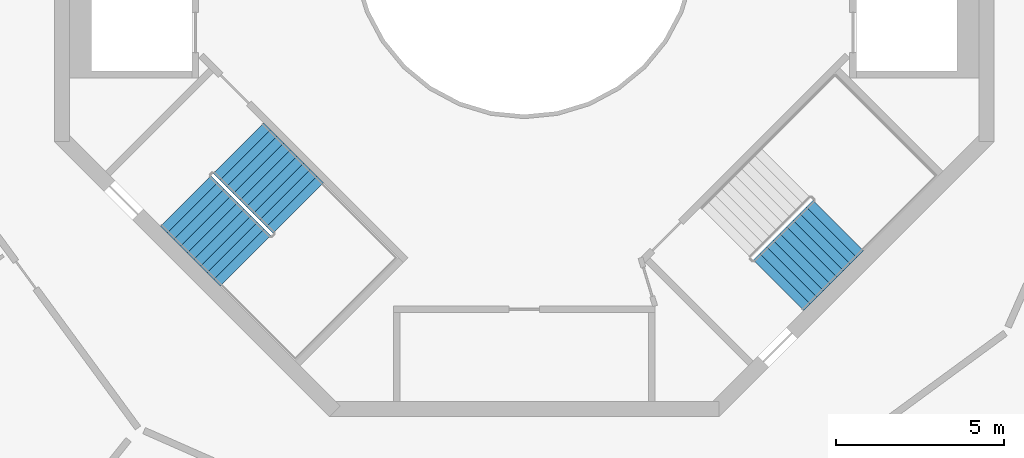
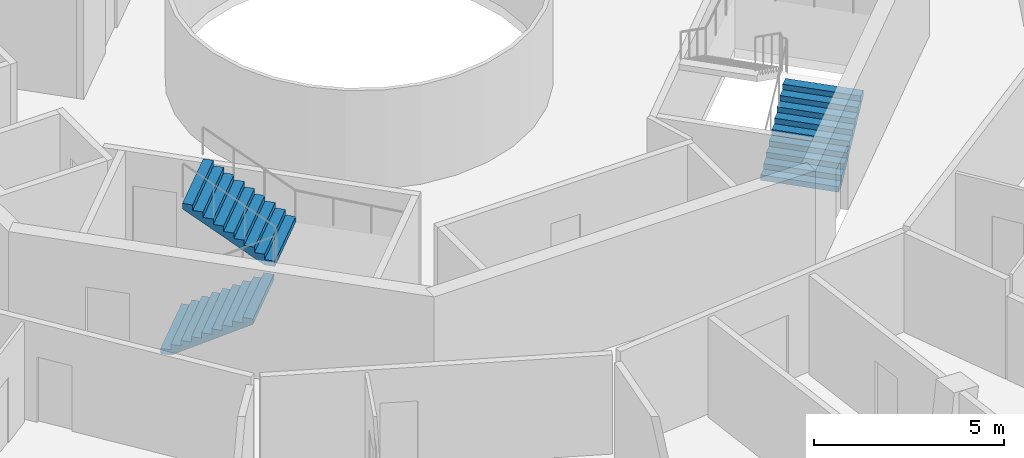
# One storey, part 22 of 24: 3 stair flights, 2 elements without a shape of their own.
"""IFC4 building model written with IfcOpenShell, lengths in metres."""

from ifc_helpers import new_model, si_unit, direction, frame, origin, place, context, subcontext, project, spatial, triangles, material, type_object, element, aggregate, save


model = new_model("IFC4")

# Units and contexts
model_context = context("Model", 3, precision=1e-05, world=origin(), true_north=direction((0.0, 1.0)))
body_context = subcontext(model_context, "Body", "Model", "MODEL_VIEW")
ifc_project = project(units=[si_unit("LENGTHUNIT", "METRE"), si_unit("AREAUNIT", "SQUARE_METRE"), si_unit("VOLUMEUNIT", "CUBIC_METRE"), si_unit("PLANEANGLEUNIT", "RADIAN"), si_unit("MASSUNIT", "GRAM", prefix="KILO")], contexts=[model_context])

# Site, building, storey
site_placement = place(None, origin())
site = spatial("IfcSite", under=ifc_project, at=site_placement, CompositionType="ELEMENT")
building_placement = place(site_placement, origin())
building = spatial("IfcBuilding", under=site, at=building_placement, Name="Verdalira Terraces Hotel", CompositionType="ELEMENT")
storey_placement = place(building_placement, frame((0.0, 0.0, 303.0)))
storey = spatial("IfcBuildingStorey", under=building, at=storey_placement, Name="L75", CompositionType="ELEMENT", Elevation=303.0)

# Stair, stair flights
ifc_material_1 = material(Name="Concrete C40", Category="concrete")
stair_type = type_object("IfcStairType", Name="Core stair 20 risers 2125 mm wide", PredefinedType="HALF_TURN_STAIR", material=ifc_material_1)
stair_1_placement = place(storey_placement, origin())
stair_1 = element("IfcStair", 1, at=stair_1_placement, inside=storey, type_object=stair_type, Name="L75 Exit stair ST2", PredefinedType="HALF_TURN_STAIR")
ifc_material_2 = material(Name="Concrete C40", Category="concrete")
stair_flight_type = type_object("IfcStairFlightType", Name="Core stair flight 20 risers 2125 mm wide", PredefinedType="STRAIGHT", material=ifc_material_2)
stair_flight_1_placement = place(storey_placement, frame((-10.085205, -7.574951, 0.0), z_axis=(0.0, 0.0, 1.0), x_axis=(0.707106781, -0.707106781, 0.0)))
stair_flight_1 = element("IfcStairFlight", 2, at=stair_flight_1_placement, type_object=stair_flight_type, Name="ST2 flight 1", NumberOfRisers=10, NumberOfTreads=9, PredefinedType="STRAIGHT", RiserHeight=0.175, TreadLength=0.28, context=body_context, shape_type="Tessellation", body=[
    triangles([(0.0, 1.0625, 0.0), (0.282715, 1.0625, 0.0), (2.52002, 1.0625, 1.398193), (0.0, -1.0625, 0.0), (0.282715, -1.0625, 0.0), (2.52002, -1.0625, 1.398193), (2.52002, 1.0625, 1.574951), (2.23999, 1.0625, 1.574951), (2.52002, -1.0625, 1.574951), (2.23999, -1.0625, 1.574951), (2.23999, 1.0625, 1.399902), (2.23999, -1.0625, 1.399902), (1.959961, 1.0625, 1.399902), (1.959961, -1.0625, 1.399902), (1.959961, 1.0625, 1.225098), (1.959961, -1.0625, 1.225098), (1.679932, 1.0625, 1.225098), (1.679932, 1.0625, 1.050049), (1.679932, -1.0625, 1.225098), (1.679932, -1.0625, 1.050049), (1.399902, 1.0625, 1.050049), (1.399902, 1.0625, 0.875), (1.399902, -1.0625, 1.050049), (1.399902, -1.0625, 0.875), (1.120117, 1.0625, 0.875), (1.120117, 1.0625, 0.699951), (1.120117, -1.0625, 0.875), (1.120117, -1.0625, 0.699951), (0.840088, 1.0625, 0.699951), (0.840088, 1.0625, 0.524902), (0.840088, -1.0625, 0.699951), (0.840088, -1.0625, 0.524902), (0.560059, 1.0625, 0.524902), (0.560059, 1.0625, 0.350098), (0.560059, -1.0625, 0.524902), (0.560059, -1.0625, 0.350098), (0.280029, 1.0625, 0.350098), (0.280029, 1.0625, 0.175049), (0.280029, -1.0625, 0.350098), (0.280029, -1.0625, 0.175049), (0.0, 1.0625, 0.175049), (0.0, -1.0625, 0.175049), (0.0, -0.996094, 0.0), (0.0, -0.996094, 0.175049), (0.0, -0.929688, 0.0), (0.0, -0.929688, 0.175049), (0.0, -0.863281, 0.0), (0.0, -0.863281, 0.175049), (0.0, -0.796875, 0.0), (0.0, -0.796875, 0.175049), (0.0, -0.730469, 0.0), (0.0, -0.730469, 0.175049), (0.0, -0.664062, 0.0), (0.0, -0.664062, 0.175049), (0.0, -0.597656, 0.0), (0.0, -0.597656, 0.175049), (0.0, -0.53125, 0.0), (0.0, -0.53125, 0.175049), (0.0, -0.464844, 0.0), (0.0, -0.464844, 0.175049), (0.0, -0.398438, 0.0), (0.0, -0.398438, 0.175049), (0.0, -0.332031, 0.0), (0.0, -0.332031, 0.175049), (0.0, -0.265625, 0.0), (0.0, -0.265625, 0.175049), (0.0, -0.199219, 0.0), (0.0, -0.199219, 0.175049), (0.0, -0.132812, 0.0), (0.0, -0.132812, 0.175049), (0.0, -0.066406, 0.0), (0.0, -0.066406, 0.175049), (0.0, 0.0, 0.0), (0.0, 0.0, 0.175049), (0.0, 0.066406, 0.0), (0.0, 0.066406, 0.175049), (0.0, 0.132812, 0.0), (0.0, 0.132812, 0.175049), (0.0, 0.199219, 0.0), (0.0, 0.199219, 0.175049), (0.0, 0.265625, 0.0), (0.0, 0.265625, 0.175049), (0.0, 0.332031, 0.0), (0.0, 0.332031, 0.175049), (0.0, 0.398438, 0.0), (0.0, 0.398438, 0.175049), (0.0, 0.464844, 0.0), (0.0, 0.464844, 0.175049), (0.0, 0.53125, 0.0), (0.0, 0.53125, 0.175049), (0.0, 0.597656, 0.0), (0.0, 0.597656, 0.175049), (0.0, 0.664062, 0.0), (0.0, 0.664062, 0.175049), (0.0, 0.730469, 0.0), (0.0, 0.730469, 0.175049), (0.0, 0.796875, 0.0), (0.0, 0.796875, 0.175049), (0.0, 0.863281, 0.0), (0.0, 0.863281, 0.175049), (0.0, 0.929688, 0.0), (0.0, 0.929688, 0.175049), (0.0, 0.996094, 0.0), (0.0, 0.996094, 0.175049), (2.52002, -0.996094, 1.574951), (2.52002, -0.929688, 1.574951), (2.52002, -0.863281, 1.574951), (2.52002, -0.796875, 1.574951), (2.52002, -0.730469, 1.574951), (2.52002, -0.664062, 1.574951), (2.52002, -0.597656, 1.574951), (2.52002, -0.53125, 1.574951), (2.52002, -0.464844, 1.574951), (2.52002, -0.398438, 1.574951), (2.52002, -0.332031, 1.574951), (2.52002, -0.265625, 1.574951), (2.52002, -0.199219, 1.574951), (2.52002, -0.132812, 1.574951), (2.52002, -0.066406, 1.574951), (2.52002, 0.0, 1.574951), (2.52002, 0.066406, 1.574951), (2.52002, 0.132812, 1.574951), (2.52002, 0.199219, 1.574951), (2.52002, 0.265625, 1.574951), (2.52002, 0.332031, 1.574951), (2.52002, 0.398438, 1.574951), (2.52002, 0.464844, 1.574951), (2.52002, 0.53125, 1.574951), (2.52002, 0.597656, 1.574951), (2.52002, 0.664062, 1.574951), (2.52002, 0.730469, 1.574951), (2.52002, 0.796875, 1.574951), (2.52002, 0.863281, 1.574951), (2.52002, 0.929688, 1.574951), (2.52002, 0.996094, 1.574951), (2.52002, -0.996094, 1.398193), (2.52002, -0.929688, 1.398193), (2.52002, -0.863281, 1.398193), (2.52002, -0.796875, 1.398193), (2.52002, -0.730469, 1.398193), (2.52002, -0.664062, 1.398193), (2.52002, -0.597656, 1.398193), (2.52002, -0.53125, 1.398193), (2.52002, -0.464844, 1.398193), (2.52002, -0.398438, 1.398193), (2.52002, -0.332031, 1.398193), (2.52002, -0.265625, 1.398193), (2.52002, -0.199219, 1.398193), (2.52002, -0.132812, 1.398193), (2.52002, -0.066406, 1.398193), (2.52002, 0.0, 1.398193), (2.52002, 0.066406, 1.398193), (2.52002, 0.132812, 1.398193), (2.52002, 0.199219, 1.398193), (2.52002, 0.265625, 1.398193), (2.52002, 0.332031, 1.398193), (2.52002, 0.398438, 1.398193), (2.52002, 0.464844, 1.398193), (2.52002, 0.53125, 1.398193), (2.52002, 0.597656, 1.398193), (2.52002, 0.664062, 1.398193), (2.52002, 0.730469, 1.398193), (2.52002, 0.796875, 1.398193), (2.52002, 0.863281, 1.398193), (2.52002, 0.929688, 1.398193), (2.52002, 0.996094, 1.398193)], [[1, 3, 2], [4, 5, 6], [3, 8, 7], [6, 9, 10], [3, 11, 8], [6, 10, 12], [3, 13, 11], [6, 12, 14], [3, 15, 13], [6, 14, 16], [15, 18, 17], [16, 19, 20], [3, 18, 15], [6, 16, 20], [18, 22, 21], [20, 23, 24], [3, 22, 18], [6, 20, 24], [22, 26, 25], [24, 27, 28], [3, 26, 22], [6, 24, 28], [26, 30, 29], [28, 31, 32], [3, 30, 26], [6, 28, 32], [1, 30, 3], [4, 6, 32], [30, 34, 33], [32, 35, 36], [34, 38, 37], [36, 39, 40], [30, 38, 34], [32, 36, 40], [1, 38, 30], [4, 32, 40], [38, 1, 41], [40, 42, 4], [4, 44, 43], [4, 42, 44], [43, 46, 45], [43, 44, 46], [45, 48, 47], [45, 46, 48], [47, 50, 49], [47, 48, 50], [49, 52, 51], [49, 50, 52], [51, 54, 53], [51, 52, 54], [53, 56, 55], [53, 54, 56], [55, 58, 57], [55, 56, 58], [57, 60, 59], [57, 58, 60], [59, 62, 61], [59, 60, 62], [61, 64, 63], [61, 62, 64], [63, 66, 65], [63, 64, 66], [65, 68, 67], [65, 66, 68], [67, 70, 69], [67, 68, 70], [69, 72, 71], [69, 70, 72], [71, 74, 73], [71, 72, 74], [73, 76, 75], [73, 74, 76], [75, 78, 77], [75, 76, 78], [77, 80, 79], [77, 78, 80], [79, 82, 81], [79, 80, 82], [81, 84, 83], [81, 82, 84], [83, 86, 85], [83, 84, 86], [85, 88, 87], [85, 86, 88], [87, 90, 89], [87, 88, 90], [89, 92, 91], [89, 90, 92], [91, 94, 93], [91, 92, 94], [93, 96, 95], [93, 94, 96], [95, 98, 97], [95, 96, 98], [97, 100, 99], [97, 98, 100], [99, 102, 101], [99, 100, 102], [101, 104, 103], [101, 102, 104], [103, 41, 1], [103, 104, 41], [42, 40, 44], [44, 40, 46], [46, 40, 48], [48, 40, 50], [50, 40, 52], [52, 40, 54], [54, 40, 56], [56, 40, 58], [58, 40, 60], [60, 40, 62], [62, 40, 64], [64, 40, 66], [66, 40, 68], [68, 40, 70], [70, 40, 72], [72, 40, 74], [74, 40, 76], [76, 40, 78], [78, 40, 80], [80, 40, 82], [82, 40, 84], [84, 40, 86], [86, 40, 88], [88, 40, 90], [90, 40, 92], [92, 40, 94], [94, 40, 96], [96, 40, 98], [98, 40, 100], [100, 40, 102], [102, 40, 104], [104, 40, 41], [41, 40, 38], [40, 37, 38], [40, 39, 37], [39, 34, 37], [39, 36, 34], [36, 33, 34], [36, 35, 33], [35, 30, 33], [35, 32, 30], [32, 29, 30], [32, 31, 29], [31, 26, 29], [31, 28, 26], [28, 25, 26], [28, 27, 25], [27, 22, 25], [27, 24, 22], [24, 21, 22], [24, 23, 21], [23, 18, 21], [23, 20, 18], [20, 17, 18], [20, 19, 17], [19, 15, 17], [19, 16, 15], [16, 13, 15], [16, 14, 13], [14, 11, 13], [14, 12, 11], [12, 8, 11], [12, 10, 8], [9, 105, 10], [105, 106, 10], [106, 107, 10], [107, 108, 10], [108, 109, 10], [109, 110, 10], [110, 111, 10], [111, 112, 10], [112, 113, 10], [113, 114, 10], [114, 115, 10], [115, 116, 10], [116, 117, 10], [117, 118, 10], [118, 119, 10], [119, 120, 10], [120, 121, 10], [121, 122, 10], [122, 123, 10], [123, 124, 10], [124, 125, 10], [125, 126, 10], [126, 127, 10], [127, 128, 10], [128, 129, 10], [129, 130, 10], [130, 131, 10], [131, 132, 10], [132, 133, 10], [133, 134, 10], [134, 135, 10], [135, 7, 10], [7, 8, 10], [9, 136, 105], [9, 6, 136], [105, 137, 106], [105, 136, 137], [106, 138, 107], [106, 137, 138], [107, 139, 108], [107, 138, 139], [108, 140, 109], [108, 139, 140], [109, 141, 110], [109, 140, 141], [110, 142, 111], [110, 141, 142], [111, 143, 112], [111, 142, 143], [112, 144, 113], [112, 143, 144], [113, 145, 114], [113, 144, 145], [114, 146, 115], [114, 145, 146], [115, 147, 116], [115, 146, 147], [116, 148, 117], [116, 147, 148], [117, 149, 118], [117, 148, 149], [118, 150, 119], [118, 149, 150], [119, 151, 120], [119, 150, 151], [120, 152, 121], [120, 151, 152], [121, 153, 122], [121, 152, 153], [122, 154, 123], [122, 153, 154], [123, 155, 124], [123, 154, 155], [124, 156, 125], [124, 155, 156], [125, 157, 126], [125, 156, 157], [126, 158, 127], [126, 157, 158], [127, 159, 128], [127, 158, 159], [128, 160, 129], [128, 159, 160], [129, 161, 130], [129, 160, 161], [130, 162, 131], [130, 161, 162], [131, 163, 132], [131, 162, 163], [132, 164, 133], [132, 163, 164], [133, 165, 134], [133, 164, 165], [134, 166, 135], [134, 165, 166], [135, 3, 7], [135, 166, 3], [6, 5, 136], [136, 5, 137], [137, 5, 138], [138, 5, 139], [139, 5, 140], [140, 5, 141], [141, 5, 142], [142, 5, 143], [143, 5, 144], [144, 5, 145], [145, 5, 146], [146, 5, 147], [147, 5, 148], [148, 5, 149], [149, 5, 150], [150, 5, 151], [151, 5, 152], [152, 5, 153], [153, 5, 154], [154, 5, 155], [155, 5, 156], [156, 5, 157], [157, 5, 158], [158, 5, 159], [159, 5, 160], [160, 5, 161], [161, 5, 162], [162, 5, 163], [163, 5, 164], [164, 5, 165], [165, 5, 166], [166, 5, 3], [3, 5, 2], [4, 43, 5], [43, 45, 5], [45, 47, 5], [47, 49, 5], [49, 51, 5], [51, 53, 5], [53, 55, 5], [55, 57, 5], [57, 59, 5], [59, 61, 5], [61, 63, 5], [63, 65, 5], [65, 67, 5], [67, 69, 5], [69, 71, 5], [71, 73, 5], [73, 75, 5], [75, 77, 5], [77, 79, 5], [79, 81, 5], [81, 83, 5], [83, 85, 5], [85, 87, 5], [87, 89, 5], [89, 91, 5], [91, 93, 5], [93, 95, 5], [95, 97, 5], [97, 99, 5], [99, 101, 5], [101, 103, 5], [103, 1, 5], [1, 2, 5]], closed=True),
])
stair_flight_2_placement = place(storey_placement, frame((-6.72998, -7.783447, 1.75), z_axis=(0.0, 0.0, 1.0), x_axis=(-0.707106781, 0.707106781, 0.0)))
stair_flight_2 = element("IfcStairFlight", 3, at=stair_flight_2_placement, type_object=stair_flight_type, Name="ST2 flight 2", NumberOfRisers=10, NumberOfTreads=9, PredefinedType="STRAIGHT", RiserHeight=0.175, TreadLength=0.28, context=body_context, shape_type="Tessellation", body=[
    triangles([(0.0, 1.0625, 0.0), (0.282715, 1.0625, 0.0), (2.52002, 1.0625, 1.398193), (0.0, -1.0625, 0.0), (0.282715, -1.0625, 0.0), (2.52002, -1.0625, 1.398193), (2.52002, 1.0625, 1.574951), (2.23999, 1.0625, 1.574951), (2.52002, -1.0625, 1.574951), (2.23999, -1.0625, 1.574951), (2.23999, 1.0625, 1.399902), (2.23999, -1.0625, 1.399902), (1.959961, 1.0625, 1.399902), (1.959961, -1.0625, 1.399902), (1.959961, 1.0625, 1.225098), (1.959961, -1.0625, 1.225098), (1.679932, 1.0625, 1.225098), (1.679932, 1.0625, 1.050049), (1.679932, -1.0625, 1.225098), (1.679932, -1.0625, 1.050049), (1.399902, 1.0625, 1.050049), (1.399902, 1.0625, 0.875), (1.399902, -1.0625, 1.050049), (1.399902, -1.0625, 0.875), (1.120117, 1.0625, 0.875), (1.120117, 1.0625, 0.699951), (1.120117, -1.0625, 0.875), (1.120117, -1.0625, 0.699951), (0.840088, 1.0625, 0.699951), (0.840088, 1.0625, 0.524902), (0.840088, -1.0625, 0.699951), (0.840088, -1.0625, 0.524902), (0.560059, 1.0625, 0.524902), (0.560059, 1.0625, 0.350098), (0.560059, -1.0625, 0.524902), (0.560059, -1.0625, 0.350098), (0.280029, 1.0625, 0.350098), (0.280029, 1.0625, 0.175049), (0.280029, -1.0625, 0.350098), (0.280029, -1.0625, 0.175049), (0.0, 1.0625, 0.175049), (0.0, -1.0625, 0.175049), (0.0, -0.996094, 0.0), (0.0, -0.996094, 0.175049), (0.0, -0.929688, 0.0), (0.0, -0.929688, 0.175049), (0.0, -0.863281, 0.0), (0.0, -0.863281, 0.175049), (0.0, -0.796875, 0.0), (0.0, -0.796875, 0.175049), (0.0, -0.730469, 0.0), (0.0, -0.730469, 0.175049), (0.0, -0.664062, 0.0), (0.0, -0.664062, 0.175049), (0.0, -0.597656, 0.0), (0.0, -0.597656, 0.175049), (0.0, -0.53125, 0.0), (0.0, -0.53125, 0.175049), (0.0, -0.464844, 0.0), (0.0, -0.464844, 0.175049), (0.0, -0.398438, 0.0), (0.0, -0.398438, 0.175049), (0.0, -0.332031, 0.0), (0.0, -0.332031, 0.175049), (0.0, -0.265625, 0.0), (0.0, -0.265625, 0.175049), (0.0, -0.199219, 0.0), (0.0, -0.199219, 0.175049), (0.0, -0.132812, 0.0), (0.0, -0.132812, 0.175049), (0.0, -0.066406, 0.0), (0.0, -0.066406, 0.175049), (0.0, 0.0, 0.0), (0.0, 0.0, 0.175049), (0.0, 0.066406, 0.0), (0.0, 0.066406, 0.175049), (0.0, 0.132812, 0.0), (0.0, 0.132812, 0.175049), (0.0, 0.199219, 0.0), (0.0, 0.199219, 0.175049), (0.0, 0.265625, 0.0), (0.0, 0.265625, 0.175049), (0.0, 0.332031, 0.0), (0.0, 0.332031, 0.175049), (0.0, 0.398438, 0.0), (0.0, 0.398438, 0.175049), (0.0, 0.464844, 0.0), (0.0, 0.464844, 0.175049), (0.0, 0.53125, 0.0), (0.0, 0.53125, 0.175049), (0.0, 0.597656, 0.0), (0.0, 0.597656, 0.175049), (0.0, 0.664062, 0.0), (0.0, 0.664062, 0.175049), (0.0, 0.730469, 0.0), (0.0, 0.730469, 0.175049), (0.0, 0.796875, 0.0), (0.0, 0.796875, 0.175049), (0.0, 0.863281, 0.0), (0.0, 0.863281, 0.175049), (0.0, 0.929688, 0.0), (0.0, 0.929688, 0.175049), (0.0, 0.996094, 0.0), (0.0, 0.996094, 0.175049), (2.52002, -0.996094, 1.574951), (2.52002, -0.929688, 1.574951), (2.52002, -0.863281, 1.574951), (2.52002, -0.796875, 1.574951), (2.52002, -0.730469, 1.574951), (2.52002, -0.664062, 1.574951), (2.52002, -0.597656, 1.574951), (2.52002, -0.53125, 1.574951), (2.52002, -0.464844, 1.574951), (2.52002, -0.398438, 1.574951), (2.52002, -0.332031, 1.574951), (2.52002, -0.265625, 1.574951), (2.52002, -0.199219, 1.574951), (2.52002, -0.132812, 1.574951), (2.52002, -0.066406, 1.574951), (2.52002, 0.0, 1.574951), (2.52002, 0.066406, 1.574951), (2.52002, 0.132812, 1.574951), (2.52002, 0.199219, 1.574951), (2.52002, 0.265625, 1.574951), (2.52002, 0.332031, 1.574951), (2.52002, 0.398438, 1.574951), (2.52002, 0.464844, 1.574951), (2.52002, 0.53125, 1.574951), (2.52002, 0.597656, 1.574951), (2.52002, 0.664062, 1.574951), (2.52002, 0.730469, 1.574951), (2.52002, 0.796875, 1.574951), (2.52002, 0.863281, 1.574951), (2.52002, 0.929688, 1.574951), (2.52002, 0.996094, 1.574951), (2.52002, -0.996094, 1.398193), (2.52002, -0.929688, 1.398193), (2.52002, -0.863281, 1.398193), (2.52002, -0.796875, 1.398193), (2.52002, -0.730469, 1.398193), (2.52002, -0.664062, 1.398193), (2.52002, -0.597656, 1.398193), (2.52002, -0.53125, 1.398193), (2.52002, -0.464844, 1.398193), (2.52002, -0.398438, 1.398193), (2.52002, -0.332031, 1.398193), (2.52002, -0.265625, 1.398193), (2.52002, -0.199219, 1.398193), (2.52002, -0.132812, 1.398193), (2.52002, -0.066406, 1.398193), (2.52002, 0.0, 1.398193), (2.52002, 0.066406, 1.398193), (2.52002, 0.132812, 1.398193), (2.52002, 0.199219, 1.398193), (2.52002, 0.265625, 1.398193), (2.52002, 0.332031, 1.398193), (2.52002, 0.398438, 1.398193), (2.52002, 0.464844, 1.398193), (2.52002, 0.53125, 1.398193), (2.52002, 0.597656, 1.398193), (2.52002, 0.664062, 1.398193), (2.52002, 0.730469, 1.398193), (2.52002, 0.796875, 1.398193), (2.52002, 0.863281, 1.398193), (2.52002, 0.929688, 1.398193), (2.52002, 0.996094, 1.398193)], [[1, 3, 2], [4, 5, 6], [3, 8, 7], [6, 9, 10], [3, 11, 8], [6, 10, 12], [3, 13, 11], [6, 12, 14], [3, 15, 13], [6, 14, 16], [15, 18, 17], [16, 19, 20], [3, 18, 15], [6, 16, 20], [18, 22, 21], [20, 23, 24], [3, 22, 18], [6, 20, 24], [22, 26, 25], [24, 27, 28], [3, 26, 22], [6, 24, 28], [26, 30, 29], [28, 31, 32], [3, 30, 26], [6, 28, 32], [1, 30, 3], [4, 6, 32], [30, 34, 33], [32, 35, 36], [34, 38, 37], [36, 39, 40], [30, 38, 34], [32, 36, 40], [1, 38, 30], [4, 32, 40], [38, 1, 41], [40, 42, 4], [4, 44, 43], [4, 42, 44], [43, 46, 45], [43, 44, 46], [45, 48, 47], [45, 46, 48], [47, 50, 49], [47, 48, 50], [49, 52, 51], [49, 50, 52], [51, 54, 53], [51, 52, 54], [53, 56, 55], [53, 54, 56], [55, 58, 57], [55, 56, 58], [57, 60, 59], [57, 58, 60], [59, 62, 61], [59, 60, 62], [61, 64, 63], [61, 62, 64], [63, 66, 65], [63, 64, 66], [65, 68, 67], [65, 66, 68], [67, 70, 69], [67, 68, 70], [69, 72, 71], [69, 70, 72], [71, 74, 73], [71, 72, 74], [73, 76, 75], [73, 74, 76], [75, 78, 77], [75, 76, 78], [77, 80, 79], [77, 78, 80], [79, 82, 81], [79, 80, 82], [81, 84, 83], [81, 82, 84], [83, 86, 85], [83, 84, 86], [85, 88, 87], [85, 86, 88], [87, 90, 89], [87, 88, 90], [89, 92, 91], [89, 90, 92], [91, 94, 93], [91, 92, 94], [93, 96, 95], [93, 94, 96], [95, 98, 97], [95, 96, 98], [97, 100, 99], [97, 98, 100], [99, 102, 101], [99, 100, 102], [101, 104, 103], [101, 102, 104], [103, 41, 1], [103, 104, 41], [42, 40, 44], [44, 40, 46], [46, 40, 48], [48, 40, 50], [50, 40, 52], [52, 40, 54], [54, 40, 56], [56, 40, 58], [58, 40, 60], [60, 40, 62], [62, 40, 64], [64, 40, 66], [66, 40, 68], [68, 40, 70], [70, 40, 72], [72, 40, 74], [74, 40, 76], [76, 40, 78], [78, 40, 80], [80, 40, 82], [82, 40, 84], [84, 40, 86], [86, 40, 88], [88, 40, 90], [90, 40, 92], [92, 40, 94], [94, 40, 96], [96, 40, 98], [98, 40, 100], [100, 40, 102], [102, 40, 104], [104, 40, 41], [41, 40, 38], [40, 37, 38], [40, 39, 37], [39, 34, 37], [39, 36, 34], [36, 33, 34], [36, 35, 33], [35, 30, 33], [35, 32, 30], [32, 29, 30], [32, 31, 29], [31, 26, 29], [31, 28, 26], [28, 25, 26], [28, 27, 25], [27, 22, 25], [27, 24, 22], [24, 21, 22], [24, 23, 21], [23, 18, 21], [23, 20, 18], [20, 17, 18], [20, 19, 17], [19, 15, 17], [19, 16, 15], [16, 13, 15], [16, 14, 13], [14, 11, 13], [14, 12, 11], [12, 8, 11], [12, 10, 8], [9, 105, 10], [105, 106, 10], [106, 107, 10], [107, 108, 10], [108, 109, 10], [109, 110, 10], [110, 111, 10], [111, 112, 10], [112, 113, 10], [113, 114, 10], [114, 115, 10], [115, 116, 10], [116, 117, 10], [117, 118, 10], [118, 119, 10], [119, 120, 10], [120, 121, 10], [121, 122, 10], [122, 123, 10], [123, 124, 10], [124, 125, 10], [125, 126, 10], [126, 127, 10], [127, 128, 10], [128, 129, 10], [129, 130, 10], [130, 131, 10], [131, 132, 10], [132, 133, 10], [133, 134, 10], [134, 135, 10], [135, 7, 10], [7, 8, 10], [9, 136, 105], [9, 6, 136], [105, 137, 106], [105, 136, 137], [106, 138, 107], [106, 137, 138], [107, 139, 108], [107, 138, 139], [108, 140, 109], [108, 139, 140], [109, 141, 110], [109, 140, 141], [110, 142, 111], [110, 141, 142], [111, 143, 112], [111, 142, 143], [112, 144, 113], [112, 143, 144], [113, 145, 114], [113, 144, 145], [114, 146, 115], [114, 145, 146], [115, 147, 116], [115, 146, 147], [116, 148, 117], [116, 147, 148], [117, 149, 118], [117, 148, 149], [118, 150, 119], [118, 149, 150], [119, 151, 120], [119, 150, 151], [120, 152, 121], [120, 151, 152], [121, 153, 122], [121, 152, 153], [122, 154, 123], [122, 153, 154], [123, 155, 124], [123, 154, 155], [124, 156, 125], [124, 155, 156], [125, 157, 126], [125, 156, 157], [126, 158, 127], [126, 157, 158], [127, 159, 128], [127, 158, 159], [128, 160, 129], [128, 159, 160], [129, 161, 130], [129, 160, 161], [130, 162, 131], [130, 161, 162], [131, 163, 132], [131, 162, 163], [132, 164, 133], [132, 163, 164], [133, 165, 134], [133, 164, 165], [134, 166, 135], [134, 165, 166], [135, 3, 7], [135, 166, 3], [6, 5, 136], [136, 5, 137], [137, 5, 138], [138, 5, 139], [139, 5, 140], [140, 5, 141], [141, 5, 142], [142, 5, 143], [143, 5, 144], [144, 5, 145], [145, 5, 146], [146, 5, 147], [147, 5, 148], [148, 5, 149], [149, 5, 150], [150, 5, 151], [151, 5, 152], [152, 5, 153], [153, 5, 154], [154, 5, 155], [155, 5, 156], [156, 5, 157], [157, 5, 158], [158, 5, 159], [159, 5, 160], [160, 5, 161], [161, 5, 162], [162, 5, 163], [163, 5, 164], [164, 5, 165], [165, 5, 166], [166, 5, 3], [3, 5, 2], [4, 43, 5], [43, 45, 5], [45, 47, 5], [47, 49, 5], [49, 51, 5], [51, 53, 5], [53, 55, 5], [55, 57, 5], [57, 59, 5], [59, 61, 5], [61, 63, 5], [63, 65, 5], [65, 67, 5], [67, 69, 5], [69, 71, 5], [71, 73, 5], [73, 75, 5], [75, 77, 5], [77, 79, 5], [79, 81, 5], [81, 83, 5], [83, 85, 5], [85, 87, 5], [87, 89, 5], [89, 91, 5], [91, 93, 5], [93, 95, 5], [95, 97, 5], [97, 99, 5], [99, 101, 5], [101, 103, 5], [103, 1, 5], [1, 2, 5]], closed=True),
])
aggregate(stair_1, [stair_flight_1, stair_flight_2])

# Stair, stair flight
stair_2_placement = place(storey_placement, origin())
stair_2 = element("IfcStair", 4, at=stair_2_placement, inside=storey, type_object=stair_type, Name="L75 Exit stair ST3", PredefinedType="HALF_TURN_STAIR")
stair_flight_3_placement = place(storey_placement, frame((7.574951, -10.085205, 0.0), z_axis=(0.0, 0.0, 1.0), x_axis=(0.707106781, 0.707106781, 0.0)))
stair_flight_3 = element("IfcStairFlight", 5, at=stair_flight_3_placement, type_object=stair_flight_type, Name="ST3 flight 1", NumberOfRisers=10, NumberOfTreads=9, PredefinedType="STRAIGHT", RiserHeight=0.175, TreadLength=0.28, context=body_context, shape_type="Tessellation", body=[
    triangles([(0.0, 1.0625, 0.0), (0.282715, 1.0625, 0.0), (2.52002, 1.0625, 1.398193), (0.0, -1.0625, 0.0), (0.282715, -1.0625, 0.0), (2.52002, -1.0625, 1.398193), (2.52002, 1.0625, 1.574951), (2.23999, 1.0625, 1.574951), (2.52002, -1.0625, 1.574951), (2.23999, -1.0625, 1.574951), (2.23999, 1.0625, 1.399902), (2.23999, -1.0625, 1.399902), (1.959961, 1.0625, 1.399902), (1.959961, -1.0625, 1.399902), (1.959961, 1.0625, 1.225098), (1.959961, -1.0625, 1.225098), (1.679932, 1.0625, 1.225098), (1.679932, 1.0625, 1.050049), (1.679932, -1.0625, 1.225098), (1.679932, -1.0625, 1.050049), (1.399902, 1.0625, 1.050049), (1.399902, 1.0625, 0.875), (1.399902, -1.0625, 1.050049), (1.399902, -1.0625, 0.875), (1.120117, 1.0625, 0.875), (1.120117, 1.0625, 0.699951), (1.120117, -1.0625, 0.875), (1.120117, -1.0625, 0.699951), (0.840088, 1.0625, 0.699951), (0.840088, 1.0625, 0.524902), (0.840088, -1.0625, 0.699951), (0.840088, -1.0625, 0.524902), (0.560059, 1.0625, 0.524902), (0.560059, 1.0625, 0.350098), (0.560059, -1.0625, 0.524902), (0.560059, -1.0625, 0.350098), (0.280029, 1.0625, 0.350098), (0.280029, 1.0625, 0.175049), (0.280029, -1.0625, 0.350098), (0.280029, -1.0625, 0.175049), (0.0, 1.0625, 0.175049), (0.0, -1.0625, 0.175049), (0.0, -0.996094, 0.0), (0.0, -0.996094, 0.175049), (0.0, -0.929688, 0.0), (0.0, -0.929688, 0.175049), (0.0, -0.863281, 0.0), (0.0, -0.863281, 0.175049), (0.0, -0.796875, 0.0), (0.0, -0.796875, 0.175049), (0.0, -0.730469, 0.0), (0.0, -0.730469, 0.175049), (0.0, -0.664062, 0.0), (0.0, -0.664062, 0.175049), (0.0, -0.597656, 0.0), (0.0, -0.597656, 0.175049), (0.0, -0.53125, 0.0), (0.0, -0.53125, 0.175049), (0.0, -0.464844, 0.0), (0.0, -0.464844, 0.175049), (0.0, -0.398438, 0.0), (0.0, -0.398438, 0.175049), (0.0, -0.332031, 0.0), (0.0, -0.332031, 0.175049), (0.0, -0.265625, 0.0), (0.0, -0.265625, 0.175049), (0.0, -0.199219, 0.0), (0.0, -0.199219, 0.175049), (0.0, -0.132812, 0.0), (0.0, -0.132812, 0.175049), (0.0, -0.066406, 0.0), (0.0, -0.066406, 0.175049), (0.0, 0.0, 0.0), (0.0, 0.0, 0.175049), (0.0, 0.066406, 0.0), (0.0, 0.066406, 0.175049), (0.0, 0.132812, 0.0), (0.0, 0.132812, 0.175049), (0.0, 0.199219, 0.0), (0.0, 0.199219, 0.175049), (0.0, 0.265625, 0.0), (0.0, 0.265625, 0.175049), (0.0, 0.332031, 0.0), (0.0, 0.332031, 0.175049), (0.0, 0.398438, 0.0), (0.0, 0.398438, 0.175049), (0.0, 0.464844, 0.0), (0.0, 0.464844, 0.175049), (0.0, 0.53125, 0.0), (0.0, 0.53125, 0.175049), (0.0, 0.597656, 0.0), (0.0, 0.597656, 0.175049), (0.0, 0.664062, 0.0), (0.0, 0.664062, 0.175049), (0.0, 0.730469, 0.0), (0.0, 0.730469, 0.175049), (0.0, 0.796875, 0.0), (0.0, 0.796875, 0.175049), (0.0, 0.863281, 0.0), (0.0, 0.863281, 0.175049), (0.0, 0.929688, 0.0), (0.0, 0.929688, 0.175049), (0.0, 0.996094, 0.0), (0.0, 0.996094, 0.175049), (2.52002, -0.996094, 1.574951), (2.52002, -0.929688, 1.574951), (2.52002, -0.863281, 1.574951), (2.52002, -0.796875, 1.574951), (2.52002, -0.730469, 1.574951), (2.52002, -0.664062, 1.574951), (2.52002, -0.597656, 1.574951), (2.52002, -0.53125, 1.574951), (2.52002, -0.464844, 1.574951), (2.52002, -0.398438, 1.574951), (2.52002, -0.332031, 1.574951), (2.52002, -0.265625, 1.574951), (2.52002, -0.199219, 1.574951), (2.52002, -0.132812, 1.574951), (2.52002, -0.066406, 1.574951), (2.52002, 0.0, 1.574951), (2.52002, 0.066406, 1.574951), (2.52002, 0.132812, 1.574951), (2.52002, 0.199219, 1.574951), (2.52002, 0.265625, 1.574951), (2.52002, 0.332031, 1.574951), (2.52002, 0.398438, 1.574951), (2.52002, 0.464844, 1.574951), (2.52002, 0.53125, 1.574951), (2.52002, 0.597656, 1.574951), (2.52002, 0.664062, 1.574951), (2.52002, 0.730469, 1.574951), (2.52002, 0.796875, 1.574951), (2.52002, 0.863281, 1.574951), (2.52002, 0.929688, 1.574951), (2.52002, 0.996094, 1.574951), (2.52002, -0.996094, 1.398193), (2.52002, -0.929688, 1.398193), (2.52002, -0.863281, 1.398193), (2.52002, -0.796875, 1.398193), (2.52002, -0.730469, 1.398193), (2.52002, -0.664062, 1.398193), (2.52002, -0.597656, 1.398193), (2.52002, -0.53125, 1.398193), (2.52002, -0.464844, 1.398193), (2.52002, -0.398438, 1.398193), (2.52002, -0.332031, 1.398193), (2.52002, -0.265625, 1.398193), (2.52002, -0.199219, 1.398193), (2.52002, -0.132812, 1.398193), (2.52002, -0.066406, 1.398193), (2.52002, 0.0, 1.398193), (2.52002, 0.066406, 1.398193), (2.52002, 0.132812, 1.398193), (2.52002, 0.199219, 1.398193), (2.52002, 0.265625, 1.398193), (2.52002, 0.332031, 1.398193), (2.52002, 0.398438, 1.398193), (2.52002, 0.464844, 1.398193), (2.52002, 0.53125, 1.398193), (2.52002, 0.597656, 1.398193), (2.52002, 0.664062, 1.398193), (2.52002, 0.730469, 1.398193), (2.52002, 0.796875, 1.398193), (2.52002, 0.863281, 1.398193), (2.52002, 0.929688, 1.398193), (2.52002, 0.996094, 1.398193)], [[1, 3, 2], [4, 5, 6], [3, 8, 7], [6, 9, 10], [3, 11, 8], [6, 10, 12], [3, 13, 11], [6, 12, 14], [3, 15, 13], [6, 14, 16], [15, 18, 17], [16, 19, 20], [3, 18, 15], [6, 16, 20], [18, 22, 21], [20, 23, 24], [3, 22, 18], [6, 20, 24], [22, 26, 25], [24, 27, 28], [3, 26, 22], [6, 24, 28], [26, 30, 29], [28, 31, 32], [3, 30, 26], [6, 28, 32], [1, 30, 3], [4, 6, 32], [30, 34, 33], [32, 35, 36], [34, 38, 37], [36, 39, 40], [30, 38, 34], [32, 36, 40], [1, 38, 30], [4, 32, 40], [38, 1, 41], [40, 42, 4], [4, 44, 43], [4, 42, 44], [43, 46, 45], [43, 44, 46], [45, 48, 47], [45, 46, 48], [47, 50, 49], [47, 48, 50], [49, 52, 51], [49, 50, 52], [51, 54, 53], [51, 52, 54], [53, 56, 55], [53, 54, 56], [55, 58, 57], [55, 56, 58], [57, 60, 59], [57, 58, 60], [59, 62, 61], [59, 60, 62], [61, 64, 63], [61, 62, 64], [63, 66, 65], [63, 64, 66], [65, 68, 67], [65, 66, 68], [67, 70, 69], [67, 68, 70], [69, 72, 71], [69, 70, 72], [71, 74, 73], [71, 72, 74], [73, 76, 75], [73, 74, 76], [75, 78, 77], [75, 76, 78], [77, 80, 79], [77, 78, 80], [79, 82, 81], [79, 80, 82], [81, 84, 83], [81, 82, 84], [83, 86, 85], [83, 84, 86], [85, 88, 87], [85, 86, 88], [87, 90, 89], [87, 88, 90], [89, 92, 91], [89, 90, 92], [91, 94, 93], [91, 92, 94], [93, 96, 95], [93, 94, 96], [95, 98, 97], [95, 96, 98], [97, 100, 99], [97, 98, 100], [99, 102, 101], [99, 100, 102], [101, 104, 103], [101, 102, 104], [103, 41, 1], [103, 104, 41], [42, 40, 44], [44, 40, 46], [46, 40, 48], [48, 40, 50], [50, 40, 52], [52, 40, 54], [54, 40, 56], [56, 40, 58], [58, 40, 60], [60, 40, 62], [62, 40, 64], [64, 40, 66], [66, 40, 68], [68, 40, 70], [70, 40, 72], [72, 40, 74], [74, 40, 76], [76, 40, 78], [78, 40, 80], [80, 40, 82], [82, 40, 84], [84, 40, 86], [86, 40, 88], [88, 40, 90], [90, 40, 92], [92, 40, 94], [94, 40, 96], [96, 40, 98], [98, 40, 100], [100, 40, 102], [102, 40, 104], [104, 40, 41], [41, 40, 38], [40, 37, 38], [40, 39, 37], [39, 34, 37], [39, 36, 34], [36, 33, 34], [36, 35, 33], [35, 30, 33], [35, 32, 30], [32, 29, 30], [32, 31, 29], [31, 26, 29], [31, 28, 26], [28, 25, 26], [28, 27, 25], [27, 22, 25], [27, 24, 22], [24, 21, 22], [24, 23, 21], [23, 18, 21], [23, 20, 18], [20, 17, 18], [20, 19, 17], [19, 15, 17], [19, 16, 15], [16, 13, 15], [16, 14, 13], [14, 11, 13], [14, 12, 11], [12, 8, 11], [12, 10, 8], [9, 105, 10], [105, 106, 10], [106, 107, 10], [107, 108, 10], [108, 109, 10], [109, 110, 10], [110, 111, 10], [111, 112, 10], [112, 113, 10], [113, 114, 10], [114, 115, 10], [115, 116, 10], [116, 117, 10], [117, 118, 10], [118, 119, 10], [119, 120, 10], [120, 121, 10], [121, 122, 10], [122, 123, 10], [123, 124, 10], [124, 125, 10], [125, 126, 10], [126, 127, 10], [127, 128, 10], [128, 129, 10], [129, 130, 10], [130, 131, 10], [131, 132, 10], [132, 133, 10], [133, 134, 10], [134, 135, 10], [135, 7, 10], [7, 8, 10], [9, 136, 105], [9, 6, 136], [105, 137, 106], [105, 136, 137], [106, 138, 107], [106, 137, 138], [107, 139, 108], [107, 138, 139], [108, 140, 109], [108, 139, 140], [109, 141, 110], [109, 140, 141], [110, 142, 111], [110, 141, 142], [111, 143, 112], [111, 142, 143], [112, 144, 113], [112, 143, 144], [113, 145, 114], [113, 144, 145], [114, 146, 115], [114, 145, 146], [115, 147, 116], [115, 146, 147], [116, 148, 117], [116, 147, 148], [117, 149, 118], [117, 148, 149], [118, 150, 119], [118, 149, 150], [119, 151, 120], [119, 150, 151], [120, 152, 121], [120, 151, 152], [121, 153, 122], [121, 152, 153], [122, 154, 123], [122, 153, 154], [123, 155, 124], [123, 154, 155], [124, 156, 125], [124, 155, 156], [125, 157, 126], [125, 156, 157], [126, 158, 127], [126, 157, 158], [127, 159, 128], [127, 158, 159], [128, 160, 129], [128, 159, 160], [129, 161, 130], [129, 160, 161], [130, 162, 131], [130, 161, 162], [131, 163, 132], [131, 162, 163], [132, 164, 133], [132, 163, 164], [133, 165, 134], [133, 164, 165], [134, 166, 135], [134, 165, 166], [135, 3, 7], [135, 166, 3], [6, 5, 136], [136, 5, 137], [137, 5, 138], [138, 5, 139], [139, 5, 140], [140, 5, 141], [141, 5, 142], [142, 5, 143], [143, 5, 144], [144, 5, 145], [145, 5, 146], [146, 5, 147], [147, 5, 148], [148, 5, 149], [149, 5, 150], [150, 5, 151], [151, 5, 152], [152, 5, 153], [153, 5, 154], [154, 5, 155], [155, 5, 156], [156, 5, 157], [157, 5, 158], [158, 5, 159], [159, 5, 160], [160, 5, 161], [161, 5, 162], [162, 5, 163], [163, 5, 164], [164, 5, 165], [165, 5, 166], [166, 5, 3], [3, 5, 2], [4, 43, 5], [43, 45, 5], [45, 47, 5], [47, 49, 5], [49, 51, 5], [51, 53, 5], [53, 55, 5], [55, 57, 5], [57, 59, 5], [59, 61, 5], [61, 63, 5], [63, 65, 5], [65, 67, 5], [67, 69, 5], [69, 71, 5], [71, 73, 5], [73, 75, 5], [75, 77, 5], [77, 79, 5], [79, 81, 5], [81, 83, 5], [83, 85, 5], [85, 87, 5], [87, 89, 5], [89, 91, 5], [91, 93, 5], [93, 95, 5], [95, 97, 5], [97, 99, 5], [99, 101, 5], [101, 103, 5], [103, 1, 5], [1, 2, 5]], closed=True),
])
aggregate(stair_2, [stair_flight_3])

save(model, "model.ifc")
